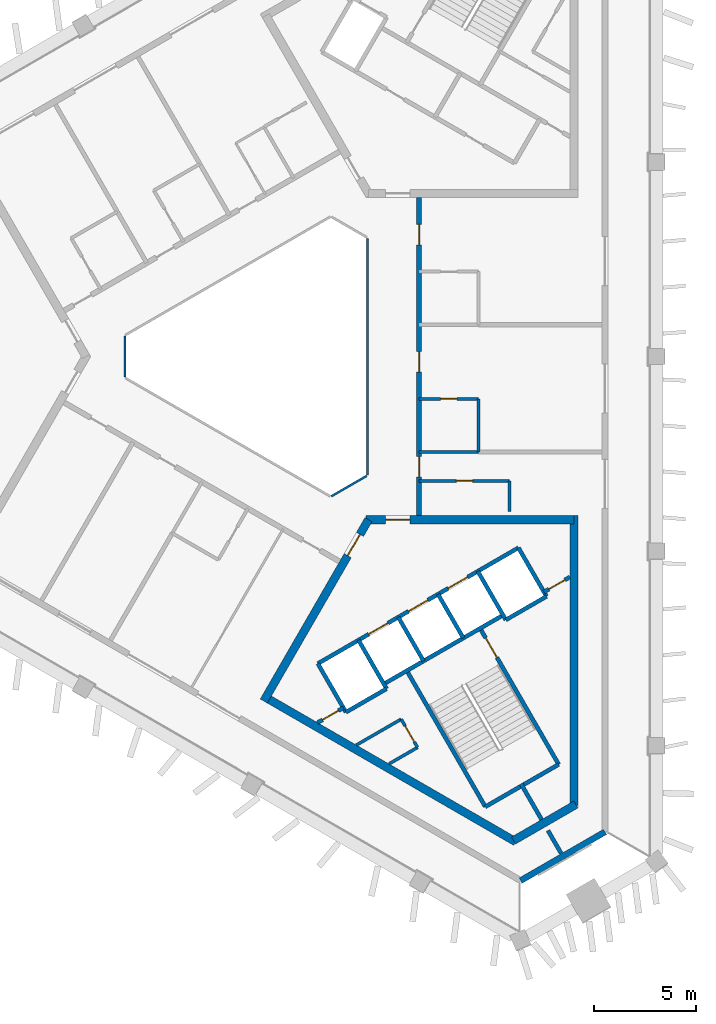
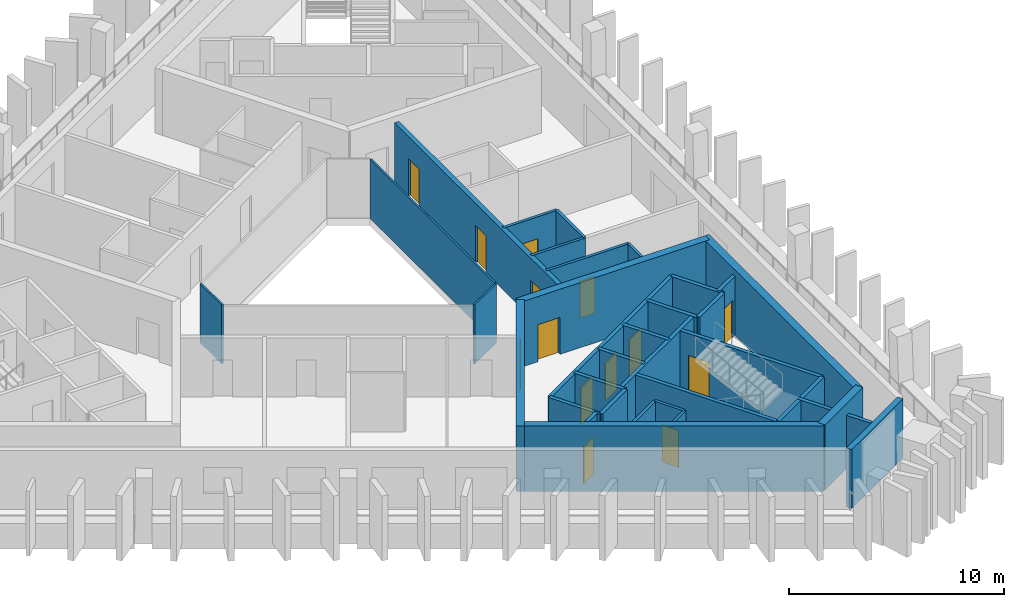
# One storey, part 3 of 8: 35 walls, 14 doors, 14 openings.
"""IFC4 building model written with IfcOpenShell, lengths in metres."""

from ifc_helpers import new_model, si_unit, direction, frame, frame_2d, origin, place, context, subcontext, project, spatial, rectangle, extrude, material, layer, layer_set, type_object, element, fill, save


model = new_model("IFC4")

# Units and contexts
model_context = context("Model", 3, precision=1e-05, world=origin(), true_north=direction((0.0, 1.0)))
body_context = subcontext(model_context, "Body", "Model", "MODEL_VIEW")
ifc_project = project(units=[si_unit("LENGTHUNIT", "METRE"), si_unit("AREAUNIT", "SQUARE_METRE"), si_unit("VOLUMEUNIT", "CUBIC_METRE"), si_unit("PLANEANGLEUNIT", "RADIAN"), si_unit("MASSUNIT", "GRAM", prefix="KILO")], contexts=[model_context])

# Site, building, storey
site_placement = place(None, origin())
site = spatial("IfcSite", under=ifc_project, at=site_placement, CompositionType="ELEMENT")
building_placement = place(site_placement, origin())
building = spatial("IfcBuilding", under=site, at=building_placement, Name="Jabali Bay Hotel Tower and Convention Centre", CompositionType="ELEMENT")
storey_placement = place(building_placement, frame((0.0, 0.0, 292.300048828125)))
storey = spatial("IfcBuildingStorey", under=building, at=storey_placement, Name="L72", CompositionType="ELEMENT", Elevation=292.300048828125)

# Walls
ifc_material_1 = material(Name="Fire-resistant glazing", Category="glass")
ifc_layer_1 = layer(ifc_material_1, 0.10009765625)
ifc_layer_set_1 = layer_set([ifc_layer_1], Name="Fire-resistant glazing")
wall_type_1 = type_object("IfcWallType", Name="Atrium glazed screen 100", PredefinedType="PARTITIONING", material=ifc_layer_set_1)
wall_1_placement = place(storey_placement, frame((79.56005859375, 74.205810546875, 0.0), z_axis=(0.0, 0.0, 1.0), x_axis=(0.0, 1.0, 0.0)))
element("IfcWall", 1, at=wall_1_placement, inside=storey, type_object=wall_type_1, Name="Atrium screen 1 L72", PredefinedType="PARTITIONING", context=body_context, shape_type="SweptSolid", body=[
    extrude(rectangle(XDim=11.58837890625, YDim=0.10009765625, at=frame_2d((5.794189453125, 0.0))), origin(), (0.0, 0.0, 1.0), 3.349853515625),
])
for number, where, z_axis, x_axis, name in (
    (2, (67.672119140625, 81.0, 0.0), (0.0, 0.0, 1.0), (0.0, -1.0, 0.0), "Atrium screen 4 L72"),
    (3, (77.7978515625, 73.15380859375, 0.0), (0.0, 0.0, 1.0), (0.866041268327, 0.499972520799, 0.0), "Atrium screen 6 L72"),
):
    element("IfcWall", number, at=place(storey_placement, frame(where, z_axis=z_axis, x_axis=x_axis)), inside=storey, type_object=wall_type_1, Name=name, PredefinedType="PARTITIONING", context=body_context, shape_type="SweptSolid", body=[
        extrude(rectangle(XDim=2.0, YDim=0.10009765625, at=frame_2d((1.0, 0.0))), origin(), (0.0, 0.0, 1.0), 3.349853515625),
    ])
ifc_material_2 = material(Name="Concrete C40", Category="concrete")
ifc_layer_2 = layer(ifc_material_2, 0.199951171875)
ifc_layer_set_2 = layer_set([ifc_layer_2], Name="Concrete C40")
wall_type_2 = type_object("IfcWallType", Name="Core partition wall 200", PredefinedType="PARTITIONING", material=ifc_layer_set_2)
wall_2_placement = place(storey_placement, frame((87.090087890625, 59.0595703125, 0.0), z_axis=(0.0, 0.0, 1.0), x_axis=(0.499941815747, -0.866058993873, 0.0)))
element("IfcWall", 4, at=wall_2_placement, inside=storey, type_object=wall_type_2, Name="Core wall 2.5 L72", PredefinedType="PARTITIONING", context=body_context, shape_type="SweptSolid", body=[
    extrude(rectangle(XDim=2.023193359375, YDim=0.199951171875, at=frame_2d((1.01171875, 0.0))), origin(), (0.0, 0.0, 1.0), 3.349853515625),
])

# Wall, opening, door
wall_3_placement = place(storey_placement, frame((77.119873046875, 62.055908203125, 0.0), z_axis=(0.0, 0.0, 1.0), x_axis=(0.866054810376, 0.49994906283, 0.0)))
wall_3 = element("IfcWall", 5, at=wall_3_placement, inside=storey, type_object=wall_type_2, Name="Core wall 2.12 L72", PredefinedType="PARTITIONING", context=body_context, shape_type="SweptSolid", body=[
    extrude(rectangle(XDim=1.461181640625, YDim=0.199951171875, at=frame_2d((0.73046875, 0.0))), origin(), (0.0, 0.0, 1.0), 3.349853515625),
])
opening_1_placement = place(wall_3_placement, frame((0.280517578125, 0.0, 0.0)))
opening_1 = element("IfcOpeningElement", 6, at=opening_1_placement, cuts=wall_3, Name="Opening D1610", PredefinedType="OPENING", context=body_context, shape_type="SweptSolid", body=[
    extrude(rectangle(XDim=0.89990234375, YDim=2.10009765625, at=frame_2d((0.449951171875, 1.050048828125))), frame((0.0, 0.1103515625, 0.0), z_axis=(0.0, -1.0, 0.0), x_axis=(1.0, 0.0, 0.0)), (0.0, 0.0, 1.0), 0.220947265625),
])
ifc_material_3 = material(Name="Fire-rated steel door", Category="steel")
door_type_1 = type_object("IfcDoorType", Name="Vestibule fire door 900 x 2100", OperationType="NOTDEFINED", PredefinedType="NOTDEFINED", material=ifc_material_3)
door_1_placement = place(opening_1_placement, origin())
door_1 = element("IfcDoor", 7, at=door_1_placement, inside=storey, type_object=door_type_1, Name="Vestibule fire door D1610", OperationType="SINGLE_SWING_LEFT", OverallHeight=2.10009765625, OverallWidth=0.89990234375, PredefinedType="NOTDEFINED", context=body_context, shape_type="SweptSolid", body=[
    extrude(rectangle(XDim=0.89990234375, YDim=2.10009765625, at=frame_2d((0.449951171875, 1.050048828125))), frame((0.0, 0.02490234375, 0.0), z_axis=(0.0, -1.0, 0.0), x_axis=(1.0, 0.0, 0.0)), (0.0, 0.0, 1.0), 0.050048828125),
])
fill(opening_1, door_1)

wall_4_placement = place(storey_placement, frame((88.214599609375, 68.46142578125, 0.0), z_axis=(0.0, 0.0, 1.0), x_axis=(0.865982457891, 0.500074377092, 0.0)))
wall_4 = element("IfcWall", 8, at=wall_4_placement, inside=storey, type_object=wall_type_2, Name="Core wall 2.13 L72", PredefinedType="PARTITIONING", context=body_context, shape_type="SweptSolid", body=[
    extrude(rectangle(XDim=1.461181640625, YDim=0.199951171875, at=frame_2d((0.73046875, 0.0))), origin(), (0.0, 0.0, 1.0), 3.349853515625),
])
opening_2_placement = place(wall_4_placement, frame((0.280517578125, 0.0, 0.0)))
opening_2 = element("IfcOpeningElement", 9, at=opening_2_placement, cuts=wall_4, Name="Opening D1609", PredefinedType="OPENING", context=body_context, shape_type="SweptSolid", body=[
    extrude(rectangle(XDim=0.89990234375, YDim=2.10009765625, at=frame_2d((0.449951171875, 1.050048828125))), frame((0.0, 0.1103515625, 0.0), z_axis=(0.0, -1.0, 0.0), x_axis=(1.0, 0.0, 0.0)), (0.0, 0.0, 1.0), 0.220947265625),
])
door_2_placement = place(opening_2_placement, origin())
door_2 = element("IfcDoor", 10, at=door_2_placement, inside=storey, type_object=door_type_1, Name="Vestibule fire door D1609", OperationType="SINGLE_SWING_LEFT", OverallHeight=2.10009765625, OverallWidth=0.89990234375, PredefinedType="NOTDEFINED", context=body_context, shape_type="SweptSolid", body=[
    extrude(rectangle(XDim=0.89990234375, YDim=2.10009765625, at=frame_2d((0.449951171875, 1.050048828125))), frame((0.0, 0.02490234375, 0.0), z_axis=(0.0, -1.0, 0.0), x_axis=(1.0, 0.0, 0.0)), (0.0, 0.0, 1.0), 0.050048828125),
])
fill(opening_2, door_2)

ifc_material_4 = material(Name="Fire-rated board partition")
ifc_layer_3 = layer(ifc_material_4, 0.14990234375)
ifc_layer_set_3 = layer_set([ifc_layer_3], Name="Fire-rated board partition")
wall_type_3 = type_object("IfcWallType", Name="Core room partition 150", PredefinedType="PARTITIONING", material=ifc_layer_set_3)
wall_5_placement = place(storey_placement, frame((81.218994140625, 62.228515625, 0.0), z_axis=(0.0, 0.0, 1.0), x_axis=(0.499880961361, -0.866094119867, 0.0)))
wall_5 = element("IfcWall", 11, at=wall_5_placement, inside=storey, type_object=wall_type_3, Name="Core wall 2.1 L72", PredefinedType="PARTITIONING", context=body_context, shape_type="SweptSolid", body=[
    extrude(rectangle(XDim=1.60009765625, YDim=0.14990234375, at=frame_2d((0.800048828125, 0.0))), origin(), (0.0, 0.0, 1.0), 3.349853515625),
])
opening_3_placement = place(wall_5_placement, frame((0.387451171875, 0.0, 0.0)))
opening_3 = element("IfcOpeningElement", 12, at=opening_3_placement, cuts=wall_5, Name="Opening D1612", PredefinedType="OPENING", context=body_context, shape_type="SweptSolid", body=[
    extrude(rectangle(XDim=0.89990234375, YDim=2.10009765625, at=frame_2d((0.449951171875, 1.050048828125))), frame((0.0, 0.08544921875, 0.0), z_axis=(0.0, -1.0, 0.0), x_axis=(1.0, 0.0, 0.0)), (0.0, 0.0, 1.0), 0.1708984375),
])
door_type_2 = type_object("IfcDoorType", Name="Core room door 900 x 2100", OperationType="NOTDEFINED", PredefinedType="NOTDEFINED", material=ifc_material_3)
door_3_placement = place(opening_3_placement, origin())
door_3 = element("IfcDoor", 13, at=door_3_placement, inside=storey, type_object=door_type_2, Name="Core room door D1612", OperationType="SINGLE_SWING_LEFT", OverallHeight=2.10009765625, OverallWidth=0.89990234375, PredefinedType="NOTDEFINED", context=body_context, shape_type="SweptSolid", body=[
    extrude(rectangle(XDim=0.89990234375, YDim=2.10009765625, at=frame_2d((0.449951171875, 1.050048828125))), frame((0.0, 0.02490234375, 0.0), z_axis=(0.0, -1.0, 0.0), x_axis=(1.0, 0.0, 0.0)), (0.0, 0.0, 1.0), 0.050048828125),
])
fill(opening_3, door_3)

# Walls
wall_6_placement = place(storey_placement, frame((79.02001953125, 60.958984375, 0.0), z_axis=(0.0, 0.0, 1.0), x_axis=(0.866033475577, 0.499986018985, 0.0)))
element("IfcWall", 14, at=wall_6_placement, inside=storey, type_object=wall_type_3, Name="Core wall 2.16 L72", PredefinedType="PARTITIONING", context=body_context, shape_type="SweptSolid", body=[
    extrude(rectangle(XDim=2.5390625, YDim=0.14990234375, at=frame_2d((1.26953125, 0.0))), origin(), (0.0, 0.0, 1.0), 3.349853515625),
])
wall_7_placement = place(storey_placement, frame((80.6201171875, 60.03515625, 0.0), z_axis=(0.0, 0.0, 1.0), x_axis=(0.866001818993, 0.500040847832, 0.0)))
element("IfcWall", 15, at=wall_7_placement, inside=storey, type_object=wall_type_3, Name="Core wall 2.17 L72", PredefinedType="PARTITIONING", context=body_context, shape_type="SweptSolid", body=[
    extrude(rectangle(XDim=1.614990234375, YDim=0.14990234375, at=frame_2d((0.8076171875, 0.0))), origin(), (0.0, 0.0, 1.0), 3.349853515625),
])
ifc_layer_4 = layer(ifc_material_2, 0.199951171875)
ifc_layer_set_4 = layer_set([ifc_layer_4], Name="Concrete C40")
wall_type_4 = type_object("IfcWallType", Name="Core stair wall 200", PredefinedType="SOLIDWALL", material=ifc_layer_set_4)
for number, where, z_axis, x_axis, name in (
    (16, (77.13525390625, 64.95166015625, 0.0), (0.0, 0.0, 1.0), (0.499996545922, -0.866027397988, 0.0), "Core wall 2.0 L72"),
    (17, (79.127197265625, 66.1015625, 0.0), (0.0, 0.0, 1.0), (0.499996545922, -0.866027397988, 0.0), "Core wall 2.2 L72"),
):
    element("IfcWall", number, at=place(storey_placement, frame(where, z_axis=z_axis, x_axis=x_axis)), inside=storey, type_object=wall_type_4, Name=name, PredefinedType="SOLIDWALL", context=body_context, shape_type="SweptSolid", body=[
        extrude(rectangle(XDim=2.75, YDim=0.199951171875, at=frame_2d((1.375, 0.0))), origin(), (0.0, 0.0, 1.0), 3.349853515625),
    ])
wall_8_placement = place(storey_placement, frame((81.492919921875, 64.603759765625, 0.0), z_axis=(0.0, 0.0, 1.0), x_axis=(0.500006057782, -0.866021906294, 0.0)))
element("IfcWall", 18, at=wall_8_placement, inside=storey, type_object=wall_type_4, Name="Core wall 2.3 L72", PredefinedType="SOLIDWALL", context=body_context, shape_type="SweptSolid", body=[
    extrude(rectangle(XDim=7.7001953125, YDim=0.199951171875, at=frame_2d((3.85009765625, 0.0))), origin(), (0.0, 0.0, 1.0), 3.349853515625),
])
for number, where, z_axis, x_axis, name in (
    (19, (81.07568359375, 67.2265625, 0.0), (0.0, 0.0, 1.0), (0.50000366821, -0.866023285932, 0.0), "Core wall 2.4 L72"),
    (20, (83.024169921875, 68.3515625, 0.0), (0.0, 0.0, 1.0), (0.50000366821, -0.866023285932, 0.0), "Core wall 2.6 L72"),
):
    element("IfcWall", number, at=place(storey_placement, frame(where, z_axis=z_axis, x_axis=x_axis)), inside=storey, type_object=wall_type_4, Name=name, PredefinedType="SOLIDWALL", context=body_context, shape_type="SweptSolid", body=[
        extrude(rectangle(XDim=2.47998046875, YDim=0.199951171875, at=frame_2d((1.239990234375, 0.0))), origin(), (0.0, 0.0, 1.0), 3.349853515625),
    ])

# Wall, opening, door
wall_9_placement = place(storey_placement, frame((85.0869140625, 66.6787109375, 0.0), z_axis=(0.0, 0.0, 1.0), x_axis=(0.500019787375, -0.866013979237, 0.0)))
wall_9 = element("IfcWall", 21, at=wall_9_placement, inside=storey, type_object=wall_type_4, Name="Core wall 2.7 L72", PredefinedType="SOLIDWALL", context=body_context, shape_type="SweptSolid", body=[
    extrude(rectangle(XDim=7.699951171875, YDim=0.199951171875, at=frame_2d((3.85009765625, 0.0))), origin(), (0.0, 0.0, 1.0), 3.349853515625),
])
opening_4_placement = place(wall_9_placement, frame((0.550048828125, 0.0, 0.0)))
opening_4 = element("IfcOpeningElement", 22, at=opening_4_placement, cuts=wall_9, Name="Opening D1611", PredefinedType="OPENING", context=body_context, shape_type="SweptSolid", body=[
    extrude(rectangle(XDim=1.10009765625, YDim=2.10009765625, at=frame_2d((0.550048828125, 1.050048828125))), frame((0.0, 0.1103515625, 0.0), z_axis=(0.0, -1.0, 0.0), x_axis=(1.0, 0.0, 0.0)), (0.0, 0.0, 1.0), 0.220947265625),
])
door_type_3 = type_object("IfcDoorType", Name="Stair fire door 1100 x 2100", OperationType="NOTDEFINED", PredefinedType="NOTDEFINED", material=ifc_material_3)
door_4_placement = place(opening_4_placement, origin())
door_4 = element("IfcDoor", 23, at=door_4_placement, inside=storey, type_object=door_type_3, Name="Stair fire door D1611", OperationType="SINGLE_SWING_RIGHT", OverallHeight=2.10009765625, OverallWidth=1.10009765625, PredefinedType="NOTDEFINED", context=body_context, shape_type="SweptSolid", body=[
    extrude(rectangle(XDim=1.10009765625, YDim=2.10009765625, at=frame_2d((0.550048828125, 1.050048828125))), frame((0.0, 0.02490234375, 0.0), z_axis=(0.0, -1.0, 0.0), x_axis=(1.0, 0.0, 0.0)), (0.0, 0.0, 1.0), 0.050048828125),
])
fill(opening_4, door_4)

# Walls
for number, where, z_axis, x_axis, name in (
    (24, (84.972900390625, 69.4765625, 0.0), (0.0, 0.0, 1.0), (0.499996545922, -0.866027397988, 0.0), "Core wall 2.8 L72"),
    (25, (86.964599609375, 70.62646484375, 0.0), (0.0, 0.0, 1.0), (0.499996545922, -0.866027397988, 0.0), "Core wall 2.9 L72"),
):
    element("IfcWall", number, at=place(storey_placement, frame(where, z_axis=z_axis, x_axis=x_axis)), inside=storey, type_object=wall_type_4, Name=name, PredefinedType="SOLIDWALL", context=body_context, shape_type="SweptSolid", body=[
        extrude(rectangle(XDim=2.75, YDim=0.199951171875, at=frame_2d((1.375, 0.0))), origin(), (0.0, 0.0, 1.0), 3.349853515625),
    ])

# Wall, openings, doors
wall_10_placement = place(storey_placement, frame((77.13525390625, 64.95166015625, 0.0), z_axis=(0.0, 0.0, 1.0), x_axis=(0.866031916153, 0.499988720078, 0.0)))
wall_10 = element("IfcWall", 26, at=wall_10_placement, inside=storey, type_object=wall_type_4, Name="Core wall 2.10 L72", PredefinedType="SOLIDWALL", context=body_context, shape_type="SweptSolid", body=[
    extrude(rectangle(XDim=11.349853515625, YDim=0.199951171875, at=frame_2d((5.6748046875, 0.0))), origin(), (0.0, 0.0, 1.0), 3.349853515625),
])
opening_5_placement = place(wall_10_placement, frame((2.875, 0.0, 0.0)))
opening_5 = element("IfcOpeningElement", 27, at=opening_5_placement, cuts=wall_10, Name="Opening LD12-L72", PredefinedType="OPENING", context=body_context, shape_type="SweptSolid", body=[
    extrude(rectangle(XDim=1.10009765625, YDim=2.10009765625, at=frame_2d((0.550048828125, 1.050048828125))), frame((0.0, 0.1103515625, 0.0), z_axis=(0.0, -1.0, 0.0), x_axis=(1.0, 0.0, 0.0)), (0.0, 0.0, 1.0), 0.220947265625),
])
opening_6_placement = place(wall_10_placement, frame((5.125, 0.0, 0.0)))
opening_6 = element("IfcOpeningElement", 28, at=opening_6_placement, cuts=wall_10, Name="Opening LD13-L72", PredefinedType="OPENING", context=body_context, shape_type="SweptSolid", body=[
    extrude(rectangle(XDim=1.10009765625, YDim=2.10009765625, at=frame_2d((0.550048828125, 1.050048828125))), frame((0.0, 0.1103515625, 0.0), z_axis=(0.0, -1.0, 0.0), x_axis=(1.0, 0.0, 0.0)), (0.0, 0.0, 1.0), 0.220947265625),
])
opening_7_placement = place(wall_10_placement, frame((7.375, 0.0, 0.0)))
opening_7 = element("IfcOpeningElement", 29, at=opening_7_placement, cuts=wall_10, Name="Opening LD14-L72", PredefinedType="OPENING", context=body_context, shape_type="SweptSolid", body=[
    extrude(rectangle(XDim=1.10009765625, YDim=2.10009765625, at=frame_2d((0.550048828125, 1.050048828125))), frame((0.0, 0.1103515625, 0.0), z_axis=(0.0, -1.0, 0.0), x_axis=(1.0, 0.0, 0.0)), (0.0, 0.0, 1.0), 0.220947265625),
])
ifc_material_5 = material(Name="Stainless steel landing door", Category="steel")
door_type_4 = type_object("IfcDoorType", Name="Landing door 1100 x 2100", OperationType="NOTDEFINED", PredefinedType="NOTDEFINED", material=ifc_material_5)
door_5_placement = place(opening_5_placement, origin())
door_5 = element("IfcDoor", 30, at=door_5_placement, inside=storey, type_object=door_type_4, Name="Landing doors LD12-L72", OperationType="SLIDING_TO_LEFT", OverallHeight=2.10009765625, OverallWidth=1.10009765625, PredefinedType="NOTDEFINED", context=body_context, shape_type="SweptSolid", body=[
    extrude(rectangle(XDim=1.10009765625, YDim=2.10009765625, at=frame_2d((0.550048828125, 1.050048828125))), frame((0.0, 0.02490234375, 0.0), z_axis=(0.0, -1.0, 0.0), x_axis=(1.0, 0.0, 0.0)), (0.0, 0.0, 1.0), 0.050048828125),
])
fill(opening_5, door_5)
door_6_placement = place(opening_6_placement, origin())
door_6 = element("IfcDoor", 31, at=door_6_placement, inside=storey, type_object=door_type_4, Name="Landing doors LD13-L72", OperationType="SLIDING_TO_RIGHT", OverallHeight=2.10009765625, OverallWidth=1.10009765625, PredefinedType="NOTDEFINED", context=body_context, shape_type="SweptSolid", body=[
    extrude(rectangle(XDim=1.10009765625, YDim=2.10009765625, at=frame_2d((0.550048828125, 1.050048828125))), frame((0.0, 0.02490234375, 0.0), z_axis=(0.0, -1.0, 0.0), x_axis=(1.0, 0.0, 0.0)), (0.0, 0.0, 1.0), 0.050048828125),
])
fill(opening_6, door_6)
door_7_placement = place(opening_7_placement, origin())
door_7 = element("IfcDoor", 32, at=door_7_placement, inside=storey, type_object=door_type_4, Name="Landing doors LD14-L72", OperationType="SLIDING_TO_LEFT", OverallHeight=2.10009765625, OverallWidth=1.10009765625, PredefinedType="NOTDEFINED", context=body_context, shape_type="SweptSolid", body=[
    extrude(rectangle(XDim=1.10009765625, YDim=2.10009765625, at=frame_2d((0.550048828125, 1.050048828125))), frame((0.0, 0.02490234375, 0.0), z_axis=(0.0, -1.0, 0.0), x_axis=(1.0, 0.0, 0.0)), (0.0, 0.0, 1.0), 0.050048828125),
])
fill(opening_7, door_7)

# Walls
wall_11_placement = place(storey_placement, frame((80.3671875, 63.953857421875, 0.0), z_axis=(0.0, 0.0, 1.0), x_axis=(0.866026575979, 0.499997969693, 0.0)))
element("IfcWall", 33, at=wall_11_placement, inside=storey, type_object=wall_type_4, Name="Core wall 2.11 L72", PredefinedType="SOLIDWALL", context=body_context, shape_type="SweptSolid", body=[
    extrude(rectangle(XDim=6.75, YDim=0.199951171875, at=frame_2d((3.375, 0.0))), origin(), (0.0, 0.0, 1.0), 3.349853515625),
])
wall_12_placement = place(storey_placement, frame((78.51025390625, 62.570068359375, 0.0), z_axis=(0.0, 0.0, 1.0), x_axis=(0.866053019151, 0.499952165731, 0.0)))
element("IfcWall", 34, at=wall_12_placement, inside=storey, type_object=wall_type_4, Name="Core wall 2.14 L72", PredefinedType="SOLIDWALL", context=body_context, shape_type="SweptSolid", body=[
    extrude(rectangle(XDim=2.300048828125, YDim=0.199951171875, at=frame_2d((1.14990234375, 0.0))), origin(), (0.0, 0.0, 1.0), 3.349853515625),
])
wall_13_placement = place(storey_placement, frame((86.347900390625, 67.094970703125, 0.0), z_axis=(0.0, 0.0, 1.0), x_axis=(0.86602648383, 0.499998129301, 0.0)))
element("IfcWall", 35, at=wall_13_placement, inside=storey, type_object=wall_type_4, Name="Core wall 2.15 L72", PredefinedType="SOLIDWALL", context=body_context, shape_type="SweptSolid", body=[
    extrude(rectangle(XDim=2.2998046875, YDim=0.199951171875, at=frame_2d((1.14990234375, 0.0))), origin(), (0.0, 0.0, 1.0), 3.349853515625),
])
wall_14_placement = place(storey_placement, frame((85.343017578125, 57.935302734375, 0.0), z_axis=(0.0, 0.0, 1.0), x_axis=(0.866004344652, 0.500036473714, 0.0)))
element("IfcWall", 36, at=wall_14_placement, inside=storey, type_object=wall_type_4, Name="Core wall 2.18 L72", PredefinedType="SOLIDWALL", context=body_context, shape_type="SweptSolid", body=[
    extrude(rectangle(XDim=4.150146484375, YDim=0.199951171875, at=frame_2d((2.0751953125, 0.0))), origin(), (0.0, 0.0, 1.0), 3.349853515625),
])

# Wall, opening, door
ifc_material_6 = material(Name="Concrete C60", Category="concrete")
ifc_layer_5 = layer(ifc_material_6, 0.39990234375)
ifc_layer_set_5 = layer_set([ifc_layer_5], Name="Concrete C60")
wall_type_5 = type_object("IfcWallType", Name="Core wall 400", PredefinedType="SHEAR", material=ifc_layer_set_5)
wall_15_placement = place(storey_placement, frame((79.615478515625, 72.005859375, 0.0), z_axis=(0.0, 0.0, 1.0), x_axis=(-0.50000177223, -0.866024380585, 0.0)))
wall_15 = element("IfcWall", 37, at=wall_15_placement, inside=storey, type_object=wall_type_5, Name="Core wall 3.1 L72", PredefinedType="SHEAR", context=body_context, shape_type="SweptSolid", body=[
    extrude(rectangle(XDim=10.2646484375, YDim=0.39990234375, at=frame_2d((5.13232421875, 0.0))), origin(), (0.0, 0.0, 1.0), 3.699951171875),
])
opening_8_placement = place(wall_15_placement, frame((0.83447265625, 0.0, 0.0)))
opening_8 = element("IfcOpeningElement", 38, at=opening_8_placement, cuts=wall_15, Name="Opening D1607", PredefinedType="OPENING", context=body_context, shape_type="SweptSolid", body=[
    extrude(rectangle(XDim=1.199951171875, YDim=2.10009765625, at=frame_2d((0.60009765625, 1.050048828125))), frame((0.0, 0.21044921875, 0.0), z_axis=(0.0, -1.0, 0.0), x_axis=(1.0, 0.0, 0.0)), (0.0, 0.0, 1.0), 0.4208984375),
])
door_type_5 = type_object("IfcDoorType", Name="Corridor end fire door 1200 x 2100", OperationType="NOTDEFINED", PredefinedType="NOTDEFINED", material=ifc_material_3)
door_8_placement = place(opening_8_placement, origin())
door_8 = element("IfcDoor", 39, at=door_8_placement, inside=storey, type_object=door_type_5, Name="Corridor end fire door D1607", OperationType="SINGLE_SWING_RIGHT", OverallHeight=2.10009765625, OverallWidth=1.199951171875, PredefinedType="NOTDEFINED", context=body_context, shape_type="SweptSolid", body=[
    extrude(rectangle(XDim=1.199951171875, YDim=2.10009765625, at=frame_2d((0.60009765625, 1.050048828125))), frame((0.0, 0.02490234375, 0.0), z_axis=(0.0, -1.0, 0.0), x_axis=(1.0, 0.0, 0.0)), (0.0, 0.0, 1.0), 0.050048828125),
])
fill(opening_8, door_8)

# Walls
wall_16_placement = place(storey_placement, frame((74.583251953125, 63.28955078125, 0.0), z_axis=(0.0, 0.0, 1.0), x_axis=(0.866024494188, -0.500001575463, 0.0)))
element("IfcWall", 40, at=wall_16_placement, inside=storey, type_object=wall_type_5, Name="Core wall 3.2 L72", PredefinedType="SHEAR", context=body_context, shape_type="SweptSolid", body=[
    extrude(rectangle(XDim=14.13330078125, YDim=0.39990234375, at=frame_2d((7.066650390625, 0.0))), origin(), (0.0, 0.0, 1.0), 3.699951171875),
])
wall_17_placement = place(storey_placement, frame((86.72314453125, 56.28076171875, 0.0), z_axis=(0.0, 0.0, 1.0), x_axis=(0.866025485263, 0.499999858875, 0.0)))
element("IfcWall", 41, at=wall_17_placement, inside=storey, type_object=wall_type_5, Name="Core wall 3.3 L72", PredefinedType="SHEAR", context=body_context, shape_type="SweptSolid", body=[
    extrude(rectangle(XDim=3.52978515625, YDim=0.39990234375, at=frame_2d((1.764892578125, 0.0))), origin(), (0.0, 0.0, 1.0), 3.699951171875),
])
wall_18_placement = place(storey_placement, frame((89.679931640625, 57.98779296875, 0.0), z_axis=(0.0, 0.0, 1.0), x_axis=(0.0, 1.0, 0.0)))
element("IfcWall", 42, at=wall_18_placement, inside=storey, type_object=wall_type_5, Name="Core wall 3.4 L72", PredefinedType="SHEAR", context=body_context, shape_type="SweptSolid", body=[
    extrude(rectangle(XDim=14.218017578125, YDim=0.39990234375, at=frame_2d((7.10888671875, 0.0))), origin(), (0.0, 0.0, 1.0), 3.699951171875),
])

# Wall, opening, door
wall_19_placement = place(storey_placement, frame((89.679931640625, 72.005859375, 0.0), z_axis=(0.0, 0.0, 1.0), x_axis=(-1.0, 0.0, 0.0)))
wall_19 = element("IfcWall", 43, at=wall_19_placement, inside=storey, type_object=wall_type_5, Name="Core wall 3.5 L72", PredefinedType="SHEAR", context=body_context, shape_type="SweptSolid", body=[
    extrude(rectangle(XDim=10.179931640625, YDim=0.39990234375, at=frame_2d((5.08984375, 0.0))), origin(), (0.0, 0.0, 1.0), 3.699951171875),
])
opening_9_placement = place(wall_19_placement, frame((8.030029296875, 0.0, 0.0)))
opening_9 = element("IfcOpeningElement", 44, at=opening_9_placement, cuts=wall_19, Name="Opening D1608", PredefinedType="OPENING", context=body_context, shape_type="SweptSolid", body=[
    extrude(rectangle(XDim=1.199951171875, YDim=2.10009765625, at=frame_2d((0.60009765625, 1.050048828125))), frame((0.0, 0.21044921875, 0.0), z_axis=(0.0, -1.0, 0.0), x_axis=(1.0, 0.0, 0.0)), (0.0, 0.0, 1.0), 0.4208984375),
])
door_9_placement = place(opening_9_placement, origin())
door_9 = element("IfcDoor", 45, at=door_9_placement, inside=storey, type_object=door_type_5, Name="Corridor end fire door D1608", OperationType="SINGLE_SWING_LEFT", OverallHeight=2.10009765625, OverallWidth=1.199951171875, PredefinedType="NOTDEFINED", context=body_context, shape_type="SweptSolid", body=[
    extrude(rectangle(XDim=1.199951171875, YDim=2.10009765625, at=frame_2d((0.60009765625, 1.050048828125))), frame((0.0, 0.02490234375, 0.0), z_axis=(0.0, -1.0, 0.0), x_axis=(1.0, 0.0, 0.0)), (0.0, 0.0, 1.0), 0.050048828125),
])
fill(opening_9, door_9)

# Wall, openings, doors
ifc_layer_6 = layer(ifc_material_6, 0.25)
ifc_layer_set_6 = layer_set([ifc_layer_6], Name="Concrete C60")
wall_type_6 = type_object("IfcWallType", Name="Corridor wall 250", PredefinedType="SHEAR", material=ifc_layer_set_6)
wall_20_placement = place(storey_placement, frame((82.10009765625, 72.205810546875, 0.0), z_axis=(0.0, 0.0, 1.0), x_axis=(0.0, 1.0, 0.0)))
wall_20 = element("IfcWall", 46, at=wall_20_placement, inside=storey, type_object=wall_type_6, Name="Corridor wall 1 L72", PredefinedType="SHEAR", context=body_context, shape_type="SweptSolid", body=[
    extrude(rectangle(XDim=15.58837890625, YDim=0.25, at=frame_2d((7.794189453125, 0.0))), origin(), (0.0, 0.0, 1.0), 3.349853515625),
])
opening_10_placement = place(wall_20_placement, frame((1.897705078125, 0.0, 0.0)))
opening_10 = element("IfcOpeningElement", 47, at=opening_10_placement, cuts=wall_20, Name="Opening 7202", PredefinedType="OPENING", context=body_context, shape_type="SweptSolid", body=[
    extrude(rectangle(XDim=1.0, YDim=2.10009765625, at=frame_2d((0.5, 1.050048828125))), frame((0.0, 0.135498046875, 0.0), z_axis=(0.0, -1.0, 0.0), x_axis=(1.0, 0.0, 0.0)), (0.0, 0.0, 1.0), 0.27099609375),
])
opening_11_placement = place(wall_20_placement, frame((7.035400390625, 0.0, 0.0)))
opening_11 = element("IfcOpeningElement", 48, at=opening_11_placement, cuts=wall_20, Name="Opening 7204", PredefinedType="OPENING", context=body_context, shape_type="SweptSolid", body=[
    extrude(rectangle(XDim=1.0, YDim=2.10009765625, at=frame_2d((0.5, 1.050048828125))), frame((0.0, 0.135498046875, 0.0), z_axis=(0.0, -1.0, 0.0), x_axis=(1.0, 0.0, 0.0)), (0.0, 0.0, 1.0), 0.27099609375),
])
opening_12_placement = place(wall_20_placement, frame((13.270751953125, 0.0, 0.0)))
opening_12 = element("IfcOpeningElement", 49, at=opening_12_placement, cuts=wall_20, Name="Opening 7206", PredefinedType="OPENING", context=body_context, shape_type="SweptSolid", body=[
    extrude(rectangle(XDim=1.0, YDim=2.10009765625, at=frame_2d((0.5, 1.050048828125))), frame((0.0, 0.135498046875, 0.0), z_axis=(0.0, -1.0, 0.0), x_axis=(1.0, 0.0, 0.0)), (0.0, 0.0, 1.0), 0.27099609375),
])
ifc_material_7 = material(Name="Timber", Category="wood")
door_type_6 = type_object("IfcDoorType", Name="Guest room door 1000 x 2100", OperationType="NOTDEFINED", PredefinedType="NOTDEFINED", material=ifc_material_7)
door_10_placement = place(opening_10_placement, origin())
door_10 = element("IfcDoor", 50, at=door_10_placement, inside=storey, type_object=door_type_6, Name="Door 7202", OperationType="SINGLE_SWING_LEFT", OverallHeight=2.10009765625, OverallWidth=1.0, PredefinedType="NOTDEFINED", context=body_context, shape_type="SweptSolid", body=[
    extrude(rectangle(XDim=1.0, YDim=2.10009765625, at=frame_2d((0.5, 1.050048828125))), frame((0.0, 0.02490234375, 0.0), z_axis=(0.0, -1.0, 0.0), x_axis=(1.0, 0.0, 0.0)), (0.0, 0.0, 1.0), 0.050048828125),
])
fill(opening_10, door_10)
door_11_placement = place(opening_11_placement, origin())
door_11 = element("IfcDoor", 51, at=door_11_placement, inside=storey, type_object=door_type_6, Name="Door 7204", OperationType="SINGLE_SWING_LEFT", OverallHeight=2.10009765625, OverallWidth=1.0, PredefinedType="NOTDEFINED", context=body_context, shape_type="SweptSolid", body=[
    extrude(rectangle(XDim=1.0, YDim=2.10009765625, at=frame_2d((0.5, 1.050048828125))), frame((0.0, 0.02490234375, 0.0), z_axis=(0.0, -1.0, 0.0), x_axis=(1.0, 0.0, 0.0)), (0.0, 0.0, 1.0), 0.050048828125),
])
fill(opening_11, door_11)
door_12_placement = place(opening_12_placement, origin())
door_12 = element("IfcDoor", 52, at=door_12_placement, inside=storey, type_object=door_type_6, Name="Door 7206", OperationType="SINGLE_SWING_RIGHT", OverallHeight=2.10009765625, OverallWidth=1.0, PredefinedType="NOTDEFINED", context=body_context, shape_type="SweptSolid", body=[
    extrude(rectangle(XDim=1.0, YDim=2.10009765625, at=frame_2d((0.5, 1.050048828125))), frame((0.0, 0.02490234375, 0.0), z_axis=(0.0, -1.0, 0.0), x_axis=(1.0, 0.0, 0.0)), (0.0, 0.0, 1.0), 0.050048828125),
])
fill(opening_12, door_12)

# Wall
ifc_layer_7 = layer(ifc_material_2, 0.300048828125)
ifc_layer_set_7 = layer_set([ifc_layer_7], Name="Concrete C40")
wall_type_7 = type_object("IfcWallType", Name="External wall 300", PredefinedType="SOLIDWALL", material=ifc_layer_set_7)
wall_21_placement = place(storey_placement, frame((91.204345703125, 56.69970703125, 0.0), z_axis=(0.0, 0.0, 1.0), x_axis=(-0.866021818598, -0.500006209673, 0.0)))
element("IfcWall", 53, at=wall_21_placement, inside=storey, type_object=wall_type_7, Name="External wall south-east chamfer L72", PredefinedType="SOLIDWALL", context=body_context, shape_type="SweptSolid", body=[
    extrude(rectangle(XDim=4.7666015625, YDim=0.300048828125, at=frame_2d((2.38330078125, 0.0))), origin(), (0.0, 0.0, 1.0), 3.349853515625),
])

# Wall, opening, door
ifc_material_8 = material(Name="Plasterboard on steel stud", Category="steel")
ifc_layer_8 = layer(ifc_material_8, 0.14990234375)
ifc_layer_set_8 = layer_set([ifc_layer_8], Name="Plasterboard on steel stud")
wall_type_8 = type_object("IfcWallType", Name="Partition 150 wet", PredefinedType="PARTITIONING", material=ifc_layer_set_8)
wall_22_placement = place(storey_placement, frame((82.10009765625, 73.90576171875, 0.0), z_axis=(0.0, 0.0, 1.0), x_axis=(1.0, 0.0, 0.0)))
wall_22 = element("IfcWall", 54, at=wall_22_placement, inside=storey, type_object=wall_type_8, Name="Partition P03 L72 001", PredefinedType="PARTITIONING", context=body_context, shape_type="SweptSolid", body=[
    extrude(rectangle(XDim=4.435302734375, YDim=0.14990234375, at=frame_2d((2.2177734375, 0.0))), origin(), (0.0, 0.0, 1.0), 3.349853515625),
])
opening_13_placement = place(wall_22_placement, frame((1.818115234375, 0.0, 0.0)))
opening_13 = element("IfcOpeningElement", 55, at=opening_13_placement, cuts=wall_22, Name="Opening 7201", PredefinedType="OPENING", context=body_context, shape_type="SweptSolid", body=[
    extrude(rectangle(XDim=0.800048828125, YDim=2.10009765625, at=frame_2d((0.39990234375, 1.050048828125))), frame((0.0, 0.08544921875, 0.0), z_axis=(0.0, -1.0, 0.0), x_axis=(1.0, 0.0, 0.0)), (0.0, 0.0, 1.0), 0.1708984375),
])
door_type_7 = type_object("IfcDoorType", Name="En-suite door 800 x 2100", OperationType="NOTDEFINED", PredefinedType="NOTDEFINED", material=ifc_material_7)
door_13_placement = place(opening_13_placement, origin())
door_13 = element("IfcDoor", 56, at=door_13_placement, inside=storey, type_object=door_type_7, Name="Door 7201", OperationType="SINGLE_SWING_RIGHT", OverallHeight=2.10009765625, OverallWidth=0.800048828125, PredefinedType="NOTDEFINED", context=body_context, shape_type="SweptSolid", body=[
    extrude(rectangle(XDim=0.800048828125, YDim=2.10009765625, at=frame_2d((0.39990234375, 1.050048828125))), frame((0.0, 0.02490234375, 0.0), z_axis=(0.0, -1.0, 0.0), x_axis=(1.0, 0.0, 0.0)), (0.0, 0.0, 1.0), 0.050048828125),
])
fill(opening_13, door_13)

# Walls
wall_23_placement = place(storey_placement, frame((86.535400390625, 73.90576171875, 0.0), z_axis=(0.0, 0.0, 1.0), x_axis=(0.0, -1.0, 0.0)))
element("IfcWall", 57, at=wall_23_placement, inside=storey, type_object=wall_type_8, Name="Partition P03 L72 002", PredefinedType="PARTITIONING", context=body_context, shape_type="SweptSolid", body=[
    extrude(rectangle(XDim=1.5009765625, YDim=0.14990234375, at=frame_2d((0.75048828125, 0.0))), origin(), (0.0, 0.0, 1.0), 3.349853515625),
])
wall_24_placement = place(storey_placement, frame((85.0, 75.323486328125, 0.0), z_axis=(0.0, 0.0, 1.0), x_axis=(-1.0, 0.0, 0.0)))
element("IfcWall", 58, at=wall_24_placement, inside=storey, type_object=wall_type_8, Name="Partition P03 L72 004", PredefinedType="PARTITIONING", context=body_context, shape_type="SweptSolid", body=[
    extrude(rectangle(XDim=2.89990234375, YDim=0.14990234375, at=frame_2d((1.449951171875, 0.0))), origin(), (0.0, 0.0, 1.0), 3.349853515625),
])

# Wall, opening, door
wall_25_placement = place(storey_placement, frame((82.10009765625, 77.923583984375, 0.0), z_axis=(0.0, 0.0, 1.0), x_axis=(1.0, 0.0, 0.0)))
wall_25 = element("IfcWall", 59, at=wall_25_placement, inside=storey, type_object=wall_type_8, Name="Partition P03 L72 006", PredefinedType="PARTITIONING", context=body_context, shape_type="SweptSolid", body=[
    extrude(rectangle(XDim=2.89990234375, YDim=0.14990234375, at=frame_2d((1.449951171875, 0.0))), origin(), (0.0, 0.0, 1.0), 3.349853515625),
])
opening_14_placement = place(wall_25_placement, frame((1.050048828125, 0.0, 0.0)))
opening_14 = element("IfcOpeningElement", 60, at=opening_14_placement, cuts=wall_25, Name="Opening 7203", PredefinedType="OPENING", context=body_context, shape_type="SweptSolid", body=[
    extrude(rectangle(XDim=0.800048828125, YDim=2.10009765625, at=frame_2d((0.39990234375, 1.050048828125))), frame((0.0, 0.08544921875, 0.0), z_axis=(0.0, -1.0, 0.0), x_axis=(1.0, 0.0, 0.0)), (0.0, 0.0, 1.0), 0.1708984375),
])
door_14_placement = place(opening_14_placement, origin())
door_14 = element("IfcDoor", 61, at=door_14_placement, inside=storey, type_object=door_type_7, Name="Door 7203", OperationType="SINGLE_SWING_RIGHT", OverallHeight=2.10009765625, OverallWidth=0.800048828125, PredefinedType="NOTDEFINED", context=body_context, shape_type="SweptSolid", body=[
    extrude(rectangle(XDim=0.800048828125, YDim=2.10009765625, at=frame_2d((0.39990234375, 1.050048828125))), frame((0.0, 0.02490234375, 0.0), z_axis=(0.0, -1.0, 0.0), x_axis=(1.0, 0.0, 0.0)), (0.0, 0.0, 1.0), 0.050048828125),
])
fill(opening_14, door_14)

# Walls
wall_26_placement = place(storey_placement, frame((85.0, 77.923583984375, 0.0), z_axis=(0.0, 0.0, 1.0), x_axis=(0.0, -1.0, 0.0)))
element("IfcWall", 62, at=wall_26_placement, inside=storey, type_object=wall_type_8, Name="Partition P03 L72 007", PredefinedType="PARTITIONING", context=body_context, shape_type="SweptSolid", body=[
    extrude(rectangle(XDim=2.60009765625, YDim=0.14990234375, at=frame_2d((1.300048828125, 0.0))), origin(), (0.0, 0.0, 1.0), 3.349853515625),
])
ifc_layer_9 = layer(ifc_material_8, 0.199951171875)
ifc_layer_set_9 = layer_set([ifc_layer_9], Name="Plasterboard on steel stud")
wall_type_9 = type_object("IfcWallType", Name="Partition 200 party", PredefinedType="PARTITIONING", material=ifc_layer_set_9)
wall_27_placement = place(storey_placement, frame((88.412353515625, 56.77099609375, 0.0), z_axis=(0.0, 0.0, 1.0), x_axis=(0.500094400323, -0.865970894872, 0.0)))
element("IfcWall", 63, at=wall_27_placement, inside=storey, type_object=wall_type_9, Name="Partition P01 L72 005", PredefinedType="PARTITIONING", context=body_context, shape_type="SweptSolid", body=[
    extrude(rectangle(XDim=1.287841796875, YDim=0.199951171875, at=frame_2d((0.64404296875, 0.0))), origin(), (0.0, 0.0, 1.0), 3.349853515625),
])

save(model, "model.ifc")
